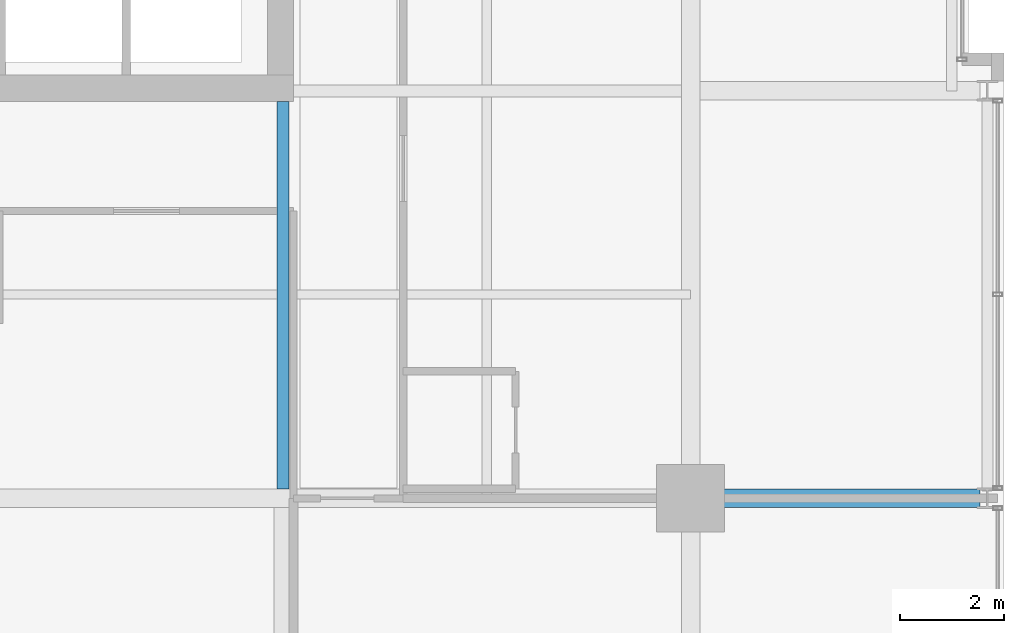
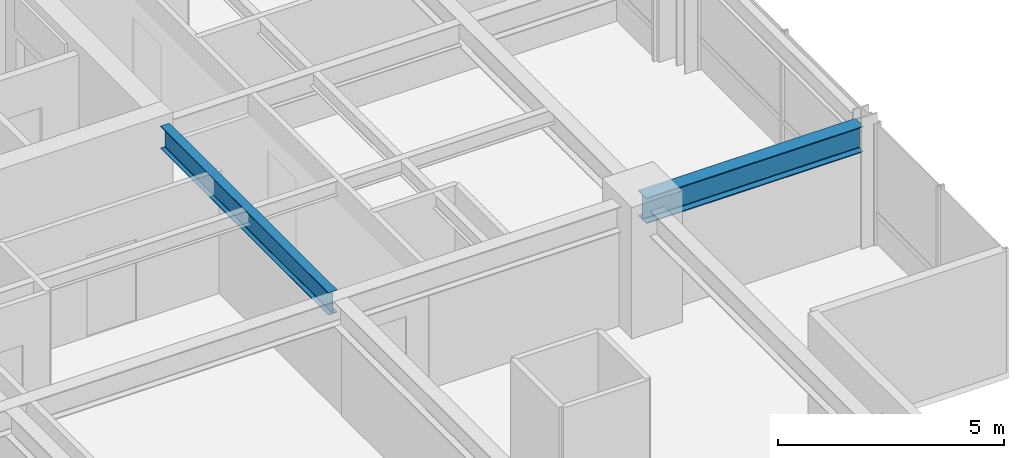
# One storey, part 12 of 32: 2 beams.
"""IFC4 building model written with IfcOpenShell, lengths in metres."""

from ifc_helpers import new_model, si_unit, direction, frame, origin, origin_2d, place, context, subcontext, project, spatial, i_section, extrude, material, material_profile, profile_set, type_object, element, save


model = new_model("IFC4")

# Units and contexts
model_context = context("Model", 3, precision=1e-05, world=origin(), true_north=direction((0.0, 1.0)))
body_context = subcontext(model_context, "Body", "Model", "MODEL_VIEW")
ifc_project = project(units=[si_unit("LENGTHUNIT", "METRE"), si_unit("AREAUNIT", "SQUARE_METRE"), si_unit("VOLUMEUNIT", "CUBIC_METRE"), si_unit("PLANEANGLEUNIT", "RADIAN"), si_unit("MASSUNIT", "GRAM", prefix="KILO")], contexts=[model_context])

# Site, building, storey
site_placement = place(None, origin())
site = spatial("IfcSite", under=ifc_project, at=site_placement, CompositionType="ELEMENT")
building_placement = place(site_placement, origin())
building = spatial("IfcBuilding", under=site, at=building_placement, Name="Drelvath Grand Hotel", CompositionType="ELEMENT")
storey_placement = place(building_placement, frame((0.0, 0.0, 182.35009765625)))
storey = spatial("IfcBuildingStorey", under=building, at=storey_placement, Name="L47", CompositionType="ELEMENT", Elevation=182.35009765625)

# Beams
ifc_material = material(Name="Steel ASTM A992 Gr 50", Category="steel")
ifc_material_profile_1 = material_profile(ifc_material, i_section(OverallWidth=0.228271484375, OverallDepth=0.607666015625, WebThickness=0.01123046875, FlangeThickness=0.017333984375, FilletRadius=0.02001953125, at=origin_2d()), Name="W24X76")
ifc_profile_set_1 = profile_set([ifc_material_profile_1], Name="Steel ASTM A992 Gr 50")
beam_type_1 = type_object("IfcBeamType", Name="Primary Floor Girder W24X76", PredefinedType="BEAM", material=ifc_profile_set_1)
beam_1_placement = place(storey_placement, frame((8.39990234375, 10.977294921875, 2.986083984375), z_axis=(0.0, 1.0, 0.0), x_axis=(-1.0, 0.0, 0.0)))
element("IfcBeam", 1, at=beam_1_placement, inside=storey, type_object=beam_type_1, Name="L47 South Core Tie 6", PredefinedType="BEAM", context=body_context, shape_type="SweptSolid", body=[
    extrude(i_section(OverallWidth=0.228271484375, OverallDepth=0.607666015625, WebThickness=0.01123046875, FlangeThickness=0.017333984375, FilletRadius=0.02001953125, at=origin_2d()), origin(), (0.0, 0.0, 1.0), 7.422607421875),
])
ifc_material_profile_2 = material_profile(ifc_material, i_section(OverallWidth=0.354736328125, OverallDepth=0.695556640625, WebThickness=0.015380859375, FlangeThickness=0.025146484375, FilletRadius=0.02392578125, at=origin_2d()), Name="W27X146")
ifc_profile_set_2 = profile_set([ifc_material_profile_2], Name="Steel ASTM A992 Gr 50")
beam_type_2 = type_object("IfcBeamType", Name="Primary Floor Girder W27X146", PredefinedType="BEAM", material=ifc_profile_set_2)
beam_2_placement = place(storey_placement, frame((16.199951171875, 10.800048828125, 2.942138671875), z_axis=(1.0, 0.0, 0.0), x_axis=(0.0, 1.0, 0.0)))
element("IfcBeam", 2, at=beam_2_placement, inside=storey, type_object=beam_type_2, Name="L47 East Grid Girder C", PredefinedType="BEAM", context=body_context, shape_type="SweptSolid", body=[
    extrude(i_section(OverallWidth=0.354736328125, OverallDepth=0.695556640625, WebThickness=0.015380859375, FlangeThickness=0.025146484375, FilletRadius=0.02392578125, at=origin_2d()), origin(), (0.0, 0.0, 1.0), 5.5400390625),
])

save(model, "model.ifc")
